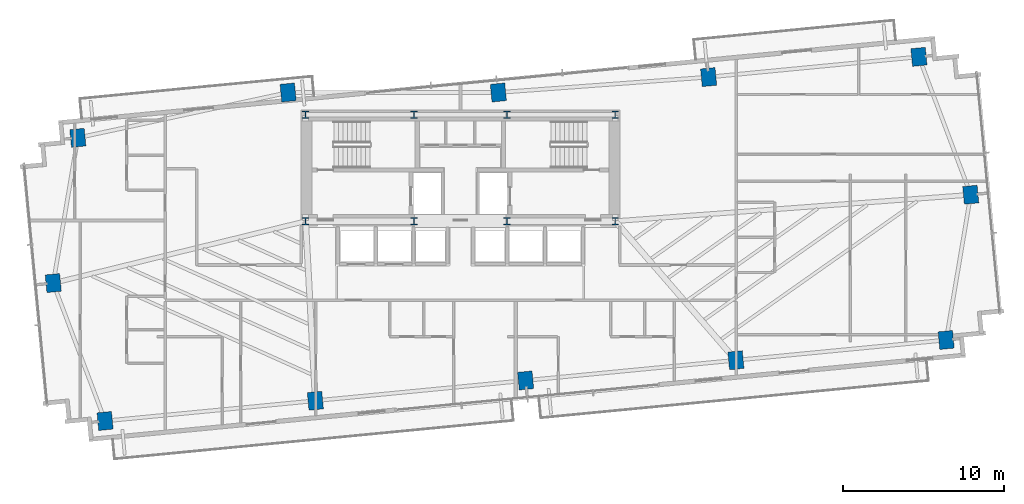
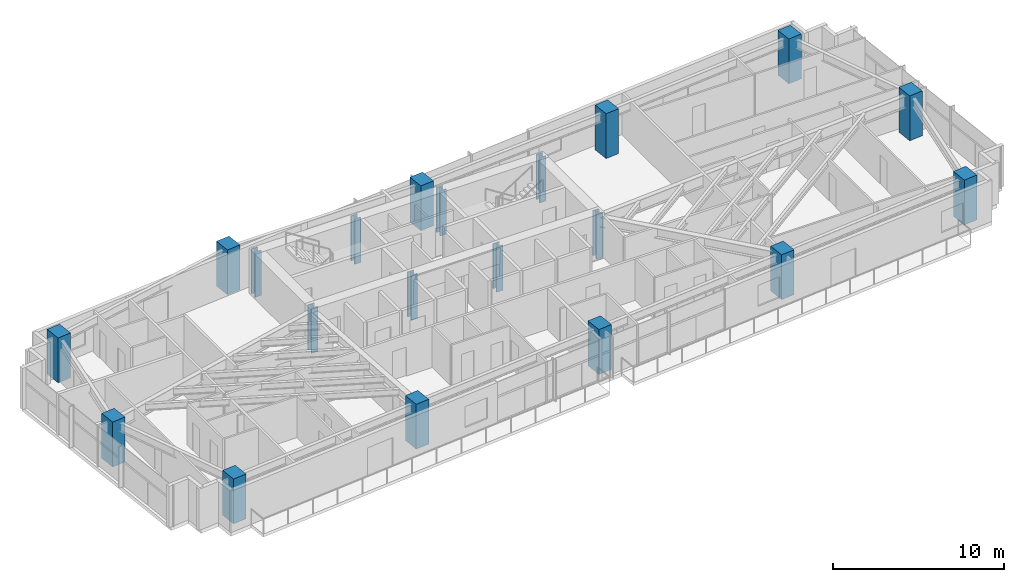
# One storey, part 1 of 27: 20 columns.
"""IFC4 building model written with IfcOpenShell, lengths in metres."""

from ifc_helpers import new_model, si_unit, direction, frame, origin, origin_2d, place, context, subcontext, project, spatial, rectangle, i_section, extrude, source, transform, mapped, material, material_profile, profile_set, type_object, type_shapes, element, save


model = new_model("IFC4")

# Units and contexts
model_context = context("Model", 3, precision=1e-05, world=origin(), true_north=direction((0.0, 1.0)))
body_context = subcontext(model_context, "Body", "Model", "MODEL_VIEW")
ifc_project = project(units=[si_unit("LENGTHUNIT", "METRE"), si_unit("AREAUNIT", "SQUARE_METRE"), si_unit("VOLUMEUNIT", "CUBIC_METRE"), si_unit("PLANEANGLEUNIT", "RADIAN"), si_unit("MASSUNIT", "GRAM", prefix="KILO")], contexts=[model_context])

# Site, building, storey
site_placement = place(None, origin())
site = spatial("IfcSite", under=ifc_project, at=site_placement, CompositionType="ELEMENT")
building_placement = place(site_placement, origin())
building = spatial("IfcBuilding", under=site, at=building_placement, Name="Astriad Promenade Condominiums", CompositionType="ELEMENT")
storey_placement = place(building_placement, frame((0.0, 0.0, 84.199951171875)))
storey = spatial("IfcBuildingStorey", under=building, at=storey_placement, Name="L23", CompositionType="ELEMENT", Elevation=84.199951171875)

# Columns
ifc_material_1 = material(Name="Steel ASTM A992 Grade 50", Category="steel")
ifc_material_profile_1 = material_profile(ifc_material_1, i_section(OverallWidth=0.427490234375, OverallDepth=0.483154296875, WebThickness=0.05126953125, FlangeThickness=0.08154296875, FilletRadius=0.017822265625, at=origin_2d()), Name="W14X455")
ifc_profile_set_1 = profile_set([ifc_material_profile_1], Name="Steel ASTM A992 Grade 50")
column_type_1 = type_object("IfcColumnType", Name="STEEL CORE PILASTER W14X455", PredefinedType="PILASTER", material=ifc_profile_set_1)
shared_shape_1 = source(origin(), body_context, "Body", "SweptSolid", [
    extrude(i_section(OverallWidth=0.427490234375, OverallDepth=0.483154296875, WebThickness=0.05126953125, FlangeThickness=0.08154296875, FilletRadius=0.017822265625, at=origin_2d()), origin(), (0.0, 0.0, 1.0), 3.196044921875),
])
type_shapes(column_type_1, [shared_shape_1])
for number, where, z_axis, x_axis, name in (
    (1, (26.39990234375, 17.39990234375, 0.001953125), (0.0, 0.0, 1.0), (1.0, 0.0, 0.0), "Core Pilaster Column CP1 (L23)"),
    (2, (33.1201171875, 17.39990234375, 0.001953125), (0.0, 0.0, 1.0), (1.0, 0.0, 0.0), "Core Pilaster Column CP2 (L23)"),
    (3, (38.8798828125, 17.39990234375, 0.001953125), (0.0, 0.0, 1.0), (1.0, 0.0, 0.0), "Core Pilaster Column CP3 (L23)"),
    (4, (45.60009765625, 17.39990234375, 0.001953125), (0.0, 0.0, 1.0), (1.0, 0.0, 0.0), "Core Pilaster Column CP4 (L23)"),
    (5, (26.39990234375, 24.0, 0.001953125), (0.0, 0.0, 1.0), (1.0, 0.0, 0.0), "Core Pilaster Column CP5 (L23)"),
    (6, (33.1201171875, 24.0, 0.001953125), (0.0, 0.0, 1.0), (1.0, 0.0, 0.0), "Core Pilaster Column CP6 (L23)"),
    (7, (38.8798828125, 24.0, 0.001953125), (0.0, 0.0, 1.0), (1.0, 0.0, 0.0), "Core Pilaster Column CP7 (L23)"),
    (8, (45.60009765625, 24.0, 0.001953125), (0.0, 0.0, 1.0), (1.0, 0.0, 0.0), "Core Pilaster Column CP8 (L23)"),
):
    element("IfcColumn", number, at=place(storey_placement, frame(where, z_axis=z_axis, x_axis=x_axis)), inside=storey, type_object=column_type_1, Name=name, PredefinedType="PILASTER", context=body_context, shape_type="MappedRepresentation", body=[
        mapped(shared_shape_1, transform((0.0, 0.0, 0.0), scale=1.0)),
    ])
ifc_material_2 = material(Name="Concrete C60/75", Category="concrete")
ifc_material_profile_2 = material_profile(ifc_material_2, rectangle(XDim=0.89990234375, YDim=1.10009765625, at=origin_2d()), Name="RC-COL-1100X900")
ifc_profile_set_2 = profile_set([ifc_material_profile_2], Name="Concrete C60/75")
column_type_2 = type_object("IfcColumnType", Name="CONCRETE TOWER COLUMN 1100X900", PredefinedType="COLUMN", material=ifc_profile_set_2)
shared_shape_2 = source(origin(), body_context, "Body", "SweptSolid", [
    extrude(rectangle(XDim=0.89990234375, YDim=1.10009765625, at=origin_2d()), origin(), (0.0, 0.0, 1.0), 3.196044921875),
])
type_shapes(column_type_2, [shared_shape_2])
for number, where, z_axis, x_axis, name in (
    (9, (13.966064453125, 5.009521484375, 0.001953125), (0.0, 0.0, 1.0), (0.995396198367, 0.09584575252, 0.0), "Perimeter Column PC01 (L23)"),
    (10, (27.005615234375, 6.264892578125, 0.001953125), (0.0, 0.0, 1.0), (0.995396198367, 0.09584575252, 0.0), "Perimeter Column PC02 (L23)"),
    (11, (40.04541015625, 7.5205078125, 0.001953125), (0.0, 0.0, 1.0), (0.995396198367, 0.09584575252, 0.0), "Perimeter Column PC03 (L23)"),
    (12, (53.0849609375, 8.776123046875, 0.001953125), (0.0, 0.0, 1.0), (0.995396198367, 0.09584575252, 0.0), "Perimeter Column PC04 (L23)"),
    (13, (66.124755859375, 10.03173828125, 0.001953125), (0.0, 0.0, 1.0), (0.995396198367, 0.09584575252, 0.0), "Perimeter Column PC05 (L23)"),
    (14, (12.275390625, 22.568115234375, 0.001953125), (0.0, 0.0, 1.0), (0.995396198367, 0.09584575252, 0.0), "Perimeter Column PC06 (L23)"),
    (15, (25.31494140625, 25.3798828125, 0.001953125), (0.0, 0.0, 1.0), (0.995396198367, 0.09584575252, 0.0), "Perimeter Column PC07 (L23)"),
    (16, (38.3544921875, 25.3798828125, 0.001953125), (0.0, 0.0, 1.0), (0.995396198367, 0.09584575252, 0.0), "Perimeter Column PC08 (L23)"),
    (17, (51.394287109375, 26.3349609375, 0.001953125), (0.0, 0.0, 1.0), (0.995396198367, 0.09584575252, 0.0), "Perimeter Column PC09 (L23)"),
    (18, (64.43408203125, 27.590576171875, 0.001953125), (0.0, 0.0, 1.0), (0.995396198367, 0.09584575252, 0.0), "Perimeter Column PC10 (L23)"),
    (19, (10.751708984375, 13.560791015625, 0.001953125), (0.0, 0.0, 1.0), (0.995396198367, 0.09584575252, 0.0), "Perimeter Column PC11 (L23)"),
    (20, (67.6484375, 19.039306640625, 0.001953125), (0.0, 0.0, 1.0), (0.995396198367, 0.09584575252, 0.0), "Perimeter Column PC12 (L23)"),
):
    element("IfcColumn", number, at=place(storey_placement, frame(where, z_axis=z_axis, x_axis=x_axis)), inside=storey, type_object=column_type_2, Name=name, PredefinedType="COLUMN", context=body_context, shape_type="MappedRepresentation", body=[
        mapped(shared_shape_2, transform((0.0, 0.0, 0.0), scale=1.0)),
    ])

save(model, "model.ifc")
